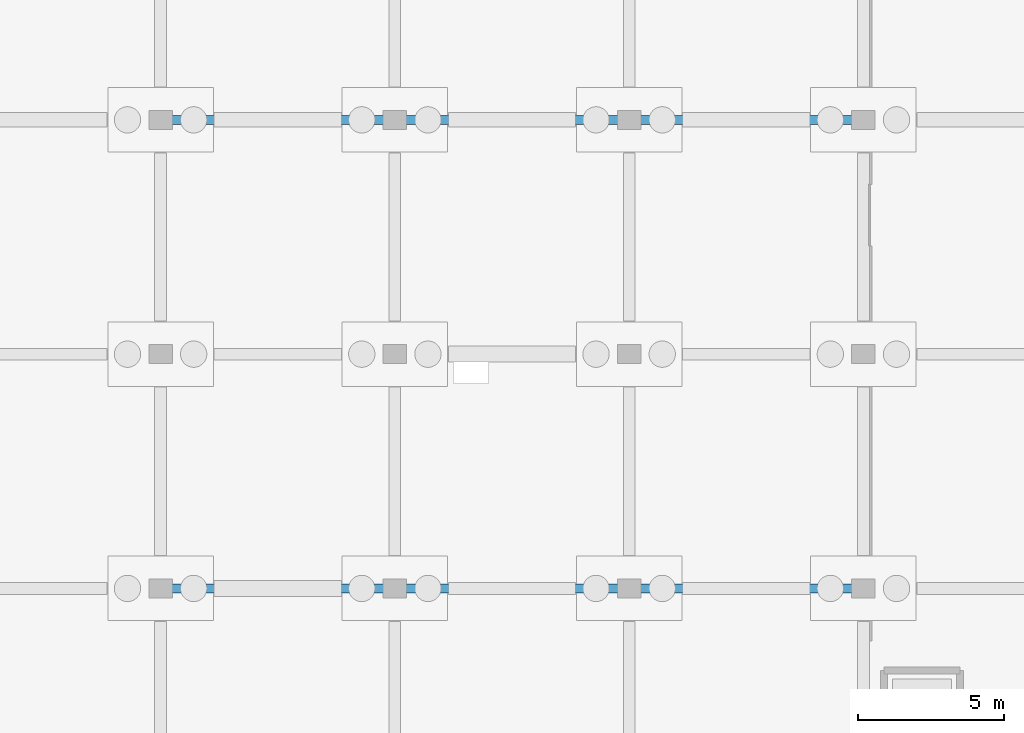
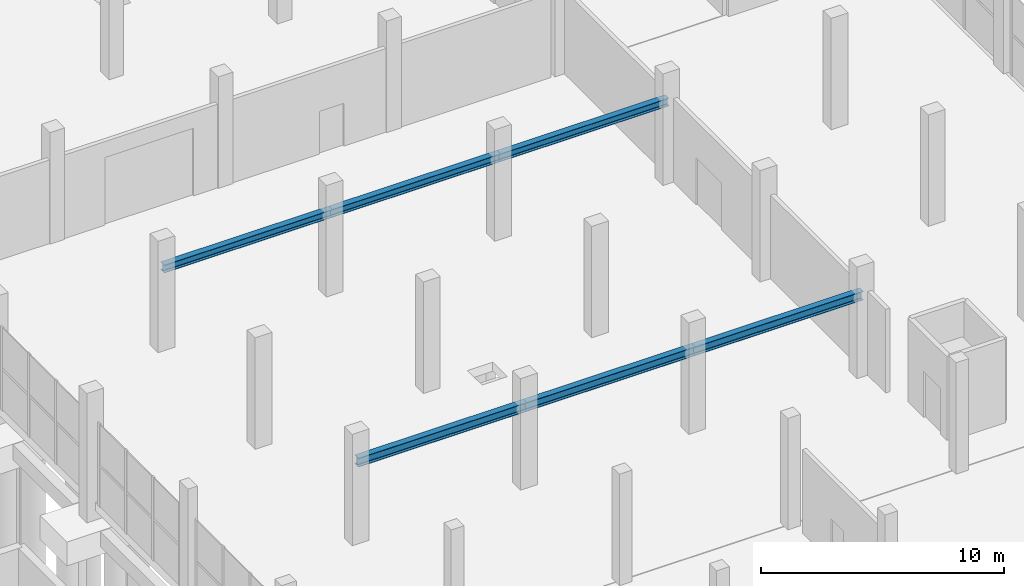
# One storey, part 54 of 98: 6 beams.
"""IFC4 building model written with IfcOpenShell, lengths in metres."""

from ifc_helpers import new_model, si_unit, derived_unit, direction, frame, origin, origin_2d, place, context, subcontext, project, spatial, i_section, extrude, material, material_profile, profile_set, type_object, element, save


model = new_model("IFC4")

# Units and contexts
model_context = context("Model", 3, precision=1e-05, world=origin(), true_north=direction((0.0, 1.0)))
body_context = subcontext(model_context, "Body", "Model", "MODEL_VIEW")
ifc_project = project(units=[si_unit("LENGTHUNIT", "METRE"), si_unit("AREAUNIT", "SQUARE_METRE"), si_unit("VOLUMEUNIT", "CUBIC_METRE"), si_unit("PLANEANGLEUNIT", "RADIAN"), si_unit("MASSUNIT", "GRAM", prefix="KILO"), si_unit("THERMODYNAMICTEMPERATUREUNIT", "KELVIN"), derived_unit("THERMALTRANSMITTANCEUNIT", [(si_unit("POWERUNIT", "WATT"), 1), (si_unit("AREAUNIT", "SQUARE_METRE"), -1), (si_unit("THERMODYNAMICTEMPERATUREUNIT", "KELVIN"), -1)])], contexts=[model_context])

# Site, building, storey
site_placement = place(None, origin())
site = spatial("IfcSite", under=ifc_project, at=site_placement, CompositionType="ELEMENT")
building_placement = place(site_placement, origin())
building = spatial("IfcBuilding", under=site, at=building_placement, Name="Haiyu Intermodal Mobility Hub", CompositionType="ELEMENT")
storey_placement = place(building_placement, origin())
storey = spatial("IfcBuildingStorey", under=building, at=storey_placement, Name="L00", CompositionType="ELEMENT", Elevation=0.0)

# Beams
ifc_material = material(Name="Steel Q355C", Category="steel")
ifc_material_profile_1 = material_profile(ifc_material, i_section(OverallWidth=0.300048828125, OverallDepth=0.43994140625, WebThickness=0.010986328125, FlangeThickness=0.01806640625, FilletRadius=0.02001953125, at=origin_2d()), Name="HM440x300x11x18")
ifc_profile_set_1 = profile_set([ifc_material_profile_1], Name="Steel Q355C")
beam_type_1 = type_object("IfcBeamType", Name="BM-SB13", PredefinedType="BEAM", material=ifc_profile_set_1)
for number, where, z_axis, x_axis, name in (
    (1, (170.0, 88.0, 3.929931640625), (1.0, 0.0, 0.0), (0.0, 1.0, 0.0), "BM-HOIST-L00-001"),
    (2, (178.0, 88.0, 3.929931640625), (1.0, 0.0, 0.0), (0.0, 1.0, 0.0), "BM-HOIST-L00-003"),
    (3, (186.0, 88.0, 3.929931640625), (1.0, 0.0, 0.0), (0.0, 1.0, 0.0), "BM-HOIST-L00-005"),
):
    element("IfcBeam", number, at=place(storey_placement, frame(where, z_axis=z_axis, x_axis=x_axis)), inside=storey, type_object=beam_type_1, Name=name, PredefinedType="BEAM", context=body_context, shape_type="SweptSolid", body=[
        extrude(i_section(OverallWidth=0.300048828125, OverallDepth=0.43994140625, WebThickness=0.010986328125, FlangeThickness=0.01806640625, FilletRadius=0.02001953125, at=origin_2d()), origin(), (0.0, 0.0, 1.0), 8.0),
    ])
ifc_material_profile_2 = material_profile(ifc_material, i_section(OverallWidth=0.300048828125, OverallDepth=0.389892578125, WebThickness=0.010009765625, FlangeThickness=0.01611328125, FilletRadius=0.01806640625, at=origin_2d()), Name="HM390x300x10x16")
ifc_profile_set_2 = profile_set([ifc_material_profile_2], Name="Steel Q355C")
beam_type_2 = type_object("IfcBeamType", Name="BM-SB14", PredefinedType="BEAM", material=ifc_profile_set_2)
for number, where, z_axis, x_axis, name in (
    (4, (170.0, 104.0, 3.955078125), (1.0, 0.0, 0.0), (0.0, 1.0, 0.0), "BM-HOIST-L00-002"),
    (5, (178.0, 104.0, 3.955078125), (1.0, 0.0, 0.0), (0.0, 1.0, 0.0), "BM-HOIST-L00-004"),
    (6, (186.0, 104.0, 3.955078125), (1.0, 0.0, 0.0), (0.0, 1.0, 0.0), "BM-HOIST-L00-006"),
):
    element("IfcBeam", number, at=place(storey_placement, frame(where, z_axis=z_axis, x_axis=x_axis)), inside=storey, type_object=beam_type_2, Name=name, PredefinedType="BEAM", context=body_context, shape_type="SweptSolid", body=[
        extrude(i_section(OverallWidth=0.300048828125, OverallDepth=0.389892578125, WebThickness=0.010009765625, FlangeThickness=0.01611328125, FilletRadius=0.01806640625, at=origin_2d()), origin(), (0.0, 0.0, 1.0), 8.0),
    ])

save(model, "model.ifc")
